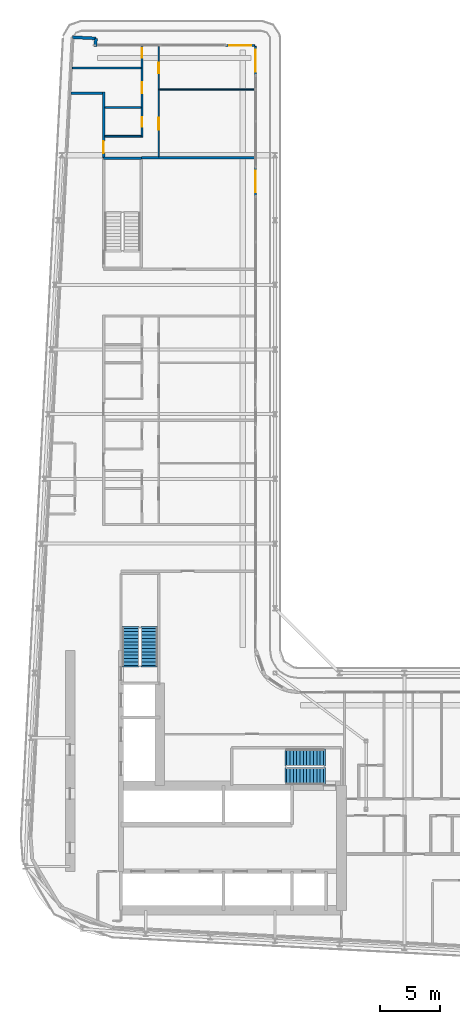
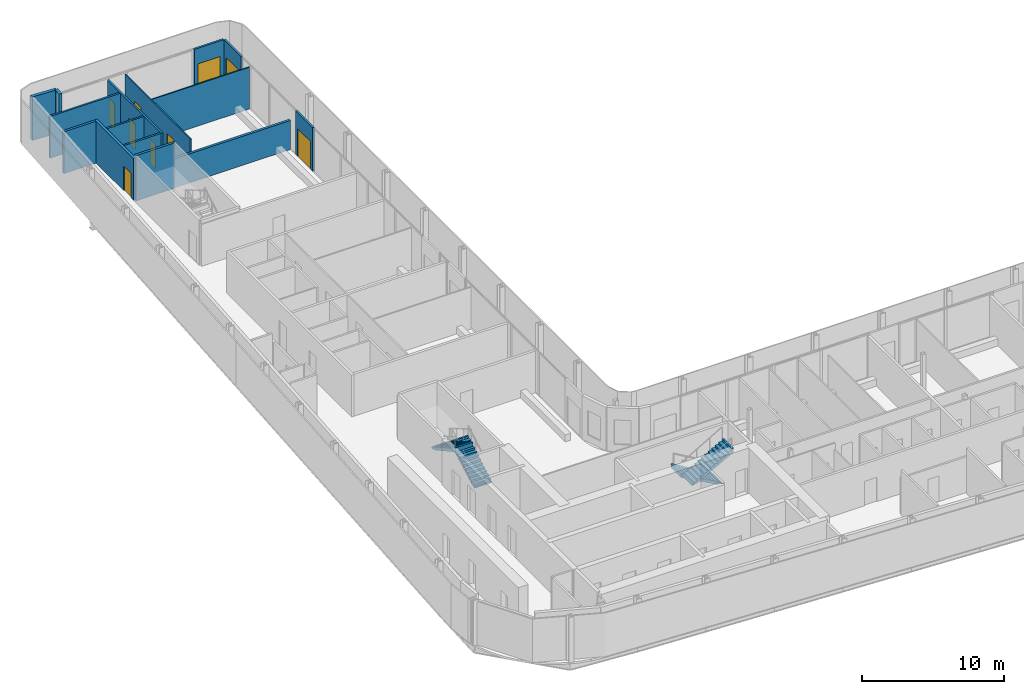
# One storey, part 22 of 30: 15 walls, 9 doors, 4 stair flights, 9 openings, 2 elements without a shape of their own.
"""IFC4 building model written with IfcOpenShell, lengths in metres."""

from ifc_helpers import new_model, si_unit, direction, frame, frame_2d, origin, place, context, subcontext, project, spatial, polyline, rectangle, outline, extrude, source, transform, mapped, material, layer, layer_set, type_object, element, fill, aggregate, save


model = new_model("IFC4")

# Units and contexts
model_context = context("Model", 3, precision=1e-05, world=origin(), true_north=direction((0.0, 1.0)))
body_context = subcontext(model_context, "Body", "Model", "MODEL_VIEW")
ifc_project = project(units=[si_unit("LENGTHUNIT", "METRE"), si_unit("AREAUNIT", "SQUARE_METRE"), si_unit("VOLUMEUNIT", "CUBIC_METRE"), si_unit("PLANEANGLEUNIT", "RADIAN"), si_unit("MASSUNIT", "GRAM", prefix="KILO")], contexts=[model_context])

# Site, building, storey
site_placement = place(None, origin())
site = spatial("IfcSite", under=ifc_project, at=site_placement, CompositionType="ELEMENT")
building_placement = place(site_placement, origin())
building = spatial("IfcBuilding", under=site, at=building_placement, Name="Kheshtan School and Residences Tower", CompositionType="ELEMENT")
storey_placement = place(building_placement, frame((0.0, 0.0, 199.39990234375)))
storey = spatial("IfcBuildingStorey", under=building, at=storey_placement, Name="L47", CompositionType="ELEMENT", Elevation=199.39990234375)

# Wall
ifc_material_1 = material(Name="Gypsum board on steel studs with fire boards", Category="steel")
ifc_layer_1 = layer(ifc_material_1, 0.199951171875)
ifc_layer_set_1 = layer_set([ifc_layer_1], Name="Corridor wall 200")
wall_type_1 = type_object("IfcWallType", Name="Corridor wall 200", PredefinedType="PARTITIONING", material=ifc_layer_set_1)
wall_1_placement = place(storey_placement, frame((30.584716796875, 94.0, 0.0), z_axis=(0.0, 0.0, 1.0), x_axis=(1.0, 0.0, 0.0)))
element("IfcWall", 1, at=wall_1_placement, inside=storey, type_object=wall_type_1, Name="Partition L47-002", PredefinedType="PARTITIONING", context=body_context, shape_type="SweptSolid", body=[
    extrude(rectangle(XDim=2.615234375, YDim=0.199951171875, at=frame_2d((1.3076171875, 0.0))), origin(), (0.0, 0.0, 1.0), 3.60009765625),
])

# Wall, opening, door
wall_2_placement = place(storey_placement, frame((33.300048828125, 88.60009765625, 0.0), z_axis=(0.0, 0.0, 1.0), x_axis=(0.0, 1.0, 0.0)))
wall_2 = element("IfcWall", 2, at=wall_2_placement, inside=storey, type_object=wall_type_1, Name="Partition L47-005", PredefinedType="PARTITIONING", context=body_context, shape_type="SweptSolid", body=[
    extrude(rectangle(XDim=5.5, YDim=0.199951171875, at=frame_2d((2.75, 0.0))), origin(), (0.0, 0.0, 1.0), 3.60009765625),
])
opening_1_placement = place(wall_2_placement, frame((0.39990234375, 0.0, 0.0)))
opening_1 = element("IfcOpeningElement", 3, at=opening_1_placement, cuts=wall_2, Name="Opening D46-050", PredefinedType="OPENING", context=body_context, shape_type="SweptSolid", body=[
    extrude(rectangle(XDim=1.0, YDim=2.10009765625, at=frame_2d((0.5, 1.050048828125))), frame((0.0, 0.10986328125, 0.0), z_axis=(0.0, -1.0, 0.0), x_axis=(1.0, 0.0, 0.0)), (0.0, 0.0, 1.0), 0.219970703125),
])
ifc_material_2 = material(Name="Steel-framed fire-resisting door leaf", Category="steel")
door_type_1 = type_object("IfcDoorType", Name="Fire door FD30S 1000 x 2100", OperationType="SINGLE_SWING_LEFT", PredefinedType="DOOR", material=ifc_material_2)
shared_shape_1 = source(origin(), body_context, "Body", "SweptSolid", [
    extrude(rectangle(XDim=1.0, YDim=2.10009765625, at=frame_2d((0.5, 1.050048828125))), frame((0.0, 0.02490234375, 0.0), z_axis=(0.0, -1.0, 0.0), x_axis=(1.0, 0.0, 0.0)), (0.0, 0.0, 1.0), 0.050048828125),
])
door_1_placement = place(opening_1_placement, origin())
door_1 = element("IfcDoor", 4, at=door_1_placement, inside=storey, type_object=door_type_1, Name="Door D46-050", OperationType="SINGLE_SWING_LEFT", OverallHeight=2.10009765625, OverallWidth=1.0, PredefinedType="DOOR", context=body_context, shape_type="MappedRepresentation", body=[
    mapped(shared_shape_1, transform((0.0, 0.0, 0.0), x_axis=(1.0, 0.0, 0.0), y_axis=(0.0, 1.0, 0.0), z_axis=(0.0, 0.0, 1.0), scale=1.0)),
])
fill(opening_1, door_1)

# Walls
ifc_material_3 = material(Name="Concrete C40/50 with ceramic cladding and mineral wool insulation", Category="concrete")
ifc_layer_2 = layer(ifc_material_3, 0.25)
ifc_layer_set_2 = layer_set([ifc_layer_2], Name="External wall 250 ceramic clad")
wall_type_2 = type_object("IfcWallType", Name="External wall 250 ceramic clad", PredefinedType="SOLIDWALL", material=ifc_layer_set_2)
wall_3_placement = place(storey_placement, frame((30.705078125, 98.6640625, 0.0), z_axis=(0.0, 0.0, 1.0), x_axis=(0.998577785791, -0.053314216913, 0.0)))
element("IfcWall", 5, at=wall_3_placement, inside=storey, type_object=wall_type_2, Name="External wall L47 5", PredefinedType="SOLIDWALL", context=body_context, shape_type="SweptSolid", body=[
    extrude(rectangle(XDim=1.95068359375, YDim=0.25, at=frame_2d((0.975341796875, 0.0))), origin(), (0.0, 0.0, 1.0), 3.75),
])
wall_4_placement = place(storey_placement, frame((32.653076171875, 98.56005859375, 0.0), z_axis=(0.0, 0.0, 1.0), x_axis=(-0.054093451632, -0.998535877418, 0.0)))
element("IfcWall", 6, at=wall_4_placement, inside=storey, type_object=wall_type_2, Name="External wall L47 6", PredefinedType="SOLIDWALL", context=body_context, shape_type="SweptSolid", body=[
    extrude(rectangle(XDim=0.66796875, YDim=0.25, at=frame_2d((0.333984375, 0.0))), origin(), (0.0, 0.0, 1.0), 3.75),
])

# Wall, opening, door
ifc_material_4 = material(Name="Aluminium frame wall with insulated infill", Category="aluminium")
ifc_layer_3 = layer(ifc_material_4, 0.14990234375)
ifc_layer_set_3 = layer_set([ifc_layer_3], Name="Glazing frame wall 150")
wall_type_3 = type_object("IfcWallType", Name="Glazing frame wall 150", PredefinedType="SOLIDWALL", material=ifc_layer_set_3)
wall_5_placement = place(storey_placement, frame((43.5, 97.97509765625, 0.0), z_axis=(0.0, 0.0, 1.0), x_axis=(1.0, 0.0, 0.0)))
wall_5 = element("IfcWall", 7, at=wall_5_placement, inside=storey, type_object=wall_type_3, Name="Balcony door wall L47 7.1", PredefinedType="SOLIDWALL", context=body_context, shape_type="SweptSolid", body=[
    extrude(rectangle(XDim=2.39990234375, YDim=0.14990234375, at=frame_2d((1.199951171875, 0.0))), origin(), (0.0, 0.0, 1.0), 3.75),
])
opening_2_placement = place(wall_5_placement, frame((0.300048828125, 0.0, 0.0)))
opening_2 = element("IfcOpeningElement", 8, at=opening_2_placement, cuts=wall_5, Name="Opening BD", PredefinedType="OPENING", context=body_context, shape_type="SweptSolid", body=[
    extrude(rectangle(XDim=1.800048828125, YDim=2.39990234375, at=frame_2d((0.89990234375, 1.199951171875))), frame((0.0, 0.0849609375, 0.0), z_axis=(0.0, -1.0, 0.0), x_axis=(1.0, 0.0, 0.0)), (0.0, 0.0, 1.0), 0.169921875),
])
ifc_material_5 = material(Name="Clear low-e glass in thermally broken aluminium frame", Category="aluminium")
door_type_2 = type_object("IfcDoorType", Name="Balcony sliding door", OperationType="SLIDING_TO_LEFT", PredefinedType="DOOR", material=ifc_material_5)
shared_shape_2 = source(origin(), body_context, "Body", "SweptSolid", [
    extrude(rectangle(XDim=1.800048828125, YDim=2.39990234375, at=frame_2d((0.89990234375, 1.199951171875))), frame((0.0, 0.02490234375, 0.0), z_axis=(0.0, -1.0, 0.0), x_axis=(1.0, 0.0, 0.0)), (0.0, 0.0, 1.0), 0.050048828125),
])
door_2_placement = place(opening_2_placement, origin())
door_2 = element("IfcDoor", 9, at=door_2_placement, inside=storey, type_object=door_type_2, Name="Balcony door L47 7.1", OperationType="SLIDING_TO_LEFT", OverallHeight=2.39990234375, OverallWidth=1.800048828125, PredefinedType="DOOR", context=body_context, shape_type="MappedRepresentation", body=[
    mapped(shared_shape_2, transform((0.0, 0.0, 0.0), x_axis=(1.0, 0.0, 0.0), y_axis=(0.0, 1.0, 0.0), z_axis=(0.0, 0.0, 1.0), scale=1.0)),
])
fill(opening_2, door_2)

wall_6_placement = place(storey_placement, frame((45.97509765625, 97.89990234375, 0.0), z_axis=(0.0, 0.0, 1.0), x_axis=(0.0, -1.0, 0.0)))
wall_6 = element("IfcWall", 10, at=wall_6_placement, inside=storey, type_object=wall_type_3, Name="Balcony door wall L47 8.1", PredefinedType="SOLIDWALL", context=body_context, shape_type="SweptSolid", body=[
    extrude(rectangle(XDim=2.39990234375, YDim=0.14990234375, at=frame_2d((1.199951171875, 0.0))), origin(), (0.0, 0.0, 1.0), 3.75),
])
opening_3_placement = place(wall_6_placement, frame((0.300048828125, 0.0, 0.0)))
opening_3 = element("IfcOpeningElement", 11, at=opening_3_placement, cuts=wall_6, Name="Opening BD", PredefinedType="OPENING", context=body_context, shape_type="SweptSolid", body=[
    extrude(rectangle(XDim=1.800048828125, YDim=2.39990234375, at=frame_2d((0.89990234375, 1.199951171875))), frame((0.0, 0.0849609375, 0.0), z_axis=(0.0, -1.0, 0.0), x_axis=(1.0, 0.0, 0.0)), (0.0, 0.0, 1.0), 0.169921875),
])
door_3_placement = place(opening_3_placement, origin())
door_3 = element("IfcDoor", 12, at=door_3_placement, inside=storey, type_object=door_type_2, Name="Balcony door L47 8.1", OperationType="SLIDING_TO_LEFT", OverallHeight=2.39990234375, OverallWidth=1.800048828125, PredefinedType="DOOR", context=body_context, shape_type="MappedRepresentation", body=[
    mapped(shared_shape_2, transform((0.0, 0.0, 0.0), x_axis=(1.0, 0.0, 0.0), y_axis=(0.0, 1.0, 0.0), z_axis=(0.0, 0.0, 1.0), scale=1.0)),
])
fill(opening_3, door_3)

wall_7_placement = place(storey_placement, frame((45.97509765625, 87.805908203125, 0.0), z_axis=(0.0, 0.0, 1.0), x_axis=(0.0, -1.0, 0.0)))
wall_7 = element("IfcWall", 13, at=wall_7_placement, inside=storey, type_object=wall_type_3, Name="Balcony door wall L47 8.2", PredefinedType="SOLIDWALL", context=body_context, shape_type="SweptSolid", body=[
    extrude(rectangle(XDim=2.39990234375, YDim=0.14990234375, at=frame_2d((1.199951171875, 0.0))), origin(), (0.0, 0.0, 1.0), 3.75),
])
opening_4_placement = place(wall_7_placement, frame((0.300048828125, 0.0, 0.0)))
opening_4 = element("IfcOpeningElement", 14, at=opening_4_placement, cuts=wall_7, Name="Opening BD", PredefinedType="OPENING", context=body_context, shape_type="SweptSolid", body=[
    extrude(rectangle(XDim=1.800048828125, YDim=2.39990234375, at=frame_2d((0.89990234375, 1.199951171875))), frame((0.0, 0.0849609375, 0.0), z_axis=(0.0, -1.0, 0.0), x_axis=(1.0, 0.0, 0.0)), (0.0, 0.0, 1.0), 0.169921875),
])
door_4_placement = place(opening_4_placement, origin())
door_4 = element("IfcDoor", 15, at=door_4_placement, inside=storey, type_object=door_type_2, Name="Balcony door L47 8.2", OperationType="SLIDING_TO_LEFT", OverallHeight=2.39990234375, OverallWidth=1.800048828125, PredefinedType="DOOR", context=body_context, shape_type="MappedRepresentation", body=[
    mapped(shared_shape_2, transform((0.0, 0.0, 0.0), x_axis=(1.0, 0.0, 0.0), y_axis=(0.0, 1.0, 0.0), z_axis=(0.0, 0.0, 1.0), scale=1.0)),
])
fill(opening_4, door_4)

# Wall, openings, doors
ifc_material_6 = material(Name="Gypsum board on steel studs", Category="steel")
ifc_layer_4 = layer(ifc_material_6, 0.10009765625)
ifc_layer_set_4 = layer_set([ifc_layer_4], Name="Gypsum partition 100")
wall_type_4 = type_object("IfcWallType", Name="Gypsum partition 100", PredefinedType="PARTITIONING", material=ifc_layer_set_4)
wall_8_placement = place(storey_placement, frame((37.89990234375, 88.699951171875, 0.0), z_axis=(0.0, 0.0, 1.0), x_axis=(0.0, 1.0, 0.0)))
wall_8 = element("IfcWall", 16, at=wall_8_placement, inside=storey, type_object=wall_type_4, Name="Partition L47-027", PredefinedType="PARTITIONING", context=body_context, shape_type="SweptSolid", body=[
    extrude(rectangle(XDim=9.199951171875, YDim=0.10009765625, at=frame_2d((4.60009765625, 0.0))), origin(), (0.0, 0.0, 1.0), 3.60009765625),
])
opening_5_placement = place(wall_8_placement, frame((6.949951171875, 0.0, 0.0)))
opening_5 = element("IfcOpeningElement", 17, at=opening_5_placement, cuts=wall_8, Name="Opening D46-049", PredefinedType="OPENING", context=body_context, shape_type="SweptSolid", body=[
    extrude(rectangle(XDim=0.89990234375, YDim=2.10009765625, at=frame_2d((0.449951171875, 1.050048828125))), frame((0.0, 0.06005859375, 0.0), z_axis=(0.0, -1.0, 0.0), x_axis=(1.0, 0.0, 0.0)), (0.0, 0.0, 1.0), 0.1201171875),
])
opening_6_placement = place(wall_8_placement, frame((2.25, 0.0, 0.0)))
opening_6 = element("IfcOpeningElement", 18, at=opening_6_placement, cuts=wall_8, Name="Opening D46-052", PredefinedType="OPENING", context=body_context, shape_type="SweptSolid", body=[
    extrude(rectangle(XDim=1.0, YDim=2.10009765625, at=frame_2d((0.5, 1.050048828125))), frame((0.0, 0.06005859375, 0.0), z_axis=(0.0, -1.0, 0.0), x_axis=(1.0, 0.0, 0.0)), (0.0, 0.0, 1.0), 0.1201171875),
])
ifc_material_7 = material(Name="Veneered timber door leaf", Category="wood")
door_type_3 = type_object("IfcDoorType", Name="Door 1000 x 2100", OperationType="SINGLE_SWING_LEFT", PredefinedType="DOOR", material=ifc_material_7)
shared_shape_3 = source(origin(), body_context, "Body", "SweptSolid", [
    extrude(rectangle(XDim=1.0, YDim=2.10009765625, at=frame_2d((0.5, 1.050048828125))), frame((0.0, 0.02490234375, 0.0), z_axis=(0.0, -1.0, 0.0), x_axis=(1.0, 0.0, 0.0)), (0.0, 0.0, 1.0), 0.050048828125),
])
door_5_placement = place(opening_6_placement, origin())
door_5 = element("IfcDoor", 19, at=door_5_placement, inside=storey, type_object=door_type_3, Name="Door D46-052", OperationType="SINGLE_SWING_RIGHT", OverallHeight=2.10009765625, OverallWidth=1.0, PredefinedType="DOOR", context=body_context, shape_type="MappedRepresentation", body=[
    mapped(shared_shape_3, transform((0.0, 0.0, 0.0), x_axis=(1.0, 0.0, 0.0), y_axis=(0.0, 1.0, 0.0), z_axis=(0.0, 0.0, 1.0), scale=1.0)),
])
fill(opening_6, door_5)
door_type_4 = type_object("IfcDoorType", Name="Door 900 x 2100", OperationType="SINGLE_SWING_LEFT", PredefinedType="DOOR", material=ifc_material_7)
shared_shape_4 = source(origin(), body_context, "Body", "SweptSolid", [
    extrude(rectangle(XDim=0.89990234375, YDim=2.10009765625, at=frame_2d((0.449951171875, 1.050048828125))), frame((0.0, 0.02490234375, 0.0), z_axis=(0.0, -1.0, 0.0), x_axis=(1.0, 0.0, 0.0)), (0.0, 0.0, 1.0), 0.050048828125),
])
door_6_placement = place(opening_5_placement, origin())
door_6 = element("IfcDoor", 20, at=door_6_placement, inside=storey, type_object=door_type_4, Name="Door D46-049", OperationType="SINGLE_SWING_RIGHT", OverallHeight=2.10009765625, OverallWidth=0.89990234375, PredefinedType="DOOR", context=body_context, shape_type="MappedRepresentation", body=[
    mapped(shared_shape_4, transform((0.0, 0.0, 0.0), x_axis=(1.0, 0.0, 0.0), y_axis=(0.0, 1.0, 0.0), z_axis=(0.0, 0.0, 1.0), scale=1.0)),
])
fill(opening_5, door_6)

# Walls
wall_9_placement = place(storey_placement, frame((37.949951171875, 94.300048828125, 0.0), z_axis=(0.0, 0.0, 1.0), x_axis=(1.0, 0.0, 0.0)))
element("IfcWall", 21, at=wall_9_placement, inside=storey, type_object=wall_type_4, Name="Partition L47-030", PredefinedType="PARTITIONING", context=body_context, shape_type="SweptSolid", body=[
    extrude(rectangle(XDim=7.949951171875, YDim=0.10009765625, at=frame_2d((3.97509765625, 0.0))), origin(), (0.0, 0.0, 1.0), 3.60009765625),
])
ifc_material_8 = material(Name="Concrete C40/50", Category="concrete")
ifc_layer_5 = layer(ifc_material_8, 0.199951171875)
ifc_layer_set_5 = layer_set([ifc_layer_5], Name="Stair enclosure wall 200 Concrete C40/50")
wall_type_5 = type_object("IfcWallType", Name="Stair enclosure wall 200 Concrete C40/50", PredefinedType="SHEAR", material=ifc_layer_set_5)
wall_10_placement = place(storey_placement, frame((33.300048828125, 88.56005859375, 0.0), z_axis=(0.0, 0.0, 1.0), x_axis=(1.0, 0.0, 0.0)))
element("IfcWall", 22, at=wall_10_placement, inside=storey, type_object=wall_type_5, Name="Stair enclosure wall ST3", PredefinedType="SHEAR", context=body_context, shape_type="SweptSolid", body=[
    extrude(rectangle(XDim=3.14990234375, YDim=0.199951171875, at=frame_2d((1.574951171875, 0.0))), origin(), (0.0, 0.0, 1.0), 3.900146484375),
])
ifc_material_9 = material(Name="Twin gypsum board on steel studs with mineral wool", Category="steel")
ifc_layer_6 = layer(ifc_material_9, 0.199951171875)
ifc_layer_set_6 = layer_set([ifc_layer_6], Name="Unit demising wall 200")
wall_type_6 = type_object("IfcWallType", Name="Unit demising wall 200", PredefinedType="PARTITIONING", material=ifc_layer_set_6)
wall_11_placement = place(storey_placement, frame((36.449951171875, 88.60009765625, 0.0), z_axis=(0.0, 0.0, 1.0), x_axis=(1.0, 0.0, 0.0)))
element("IfcWall", 23, at=wall_11_placement, inside=storey, type_object=wall_type_6, Name="Partition L47-023", PredefinedType="PARTITIONING", context=body_context, shape_type="SweptSolid", body=[
    extrude(rectangle(XDim=9.449951171875, YDim=0.199951171875, at=frame_2d((4.72509765625, 0.0))), origin(), (0.0, 0.0, 1.0), 2.5),
])
ifc_material_10 = material(Name="Moisture-resistant gypsum board on steel studs", Category="steel")
ifc_layer_7 = layer(ifc_material_10, 0.14990234375)
ifc_layer_set_7 = layer_set([ifc_layer_7], Name="Wet-room partition 150")
wall_type_7 = type_object("IfcWallType", Name="Wet-room partition 150", PredefinedType="PARTITIONING", material=ifc_layer_set_7)
wall_12_placement = place(storey_placement, frame((30.695068359375, 96.10009765625, 0.0), z_axis=(0.0, 0.0, 1.0), x_axis=(1.0, 0.0, 0.0)))
element("IfcWall", 24, at=wall_12_placement, inside=storey, type_object=wall_type_7, Name="Partition L47-001", PredefinedType="PARTITIONING", context=body_context, shape_type="SweptSolid", body=[
    extrude(rectangle(XDim=5.72998046875, YDim=0.14990234375, at=frame_2d((2.864990234375, 0.0))), origin(), (0.0, 0.0, 1.0), 3.60009765625),
])
for number, where, z_axis, x_axis, name in (
    (25, (33.39990234375, 90.39990234375, 0.0), (0.0, 0.0, 1.0), (1.0, 0.0, 0.0), "Partition L47-015"),
    (26, (33.39990234375, 92.800048828125, 0.0), (0.0, 0.0, 1.0), (1.0, 0.0, 0.0), "Partition L47-016"),
):
    element("IfcWall", number, at=place(storey_placement, frame(where, z_axis=z_axis, x_axis=x_axis)), inside=storey, type_object=wall_type_7, Name=name, PredefinedType="PARTITIONING", context=body_context, shape_type="SweptSolid", body=[
        extrude(rectangle(XDim=3.025146484375, YDim=0.14990234375, at=frame_2d((1.5126953125, 0.0))), origin(), (0.0, 0.0, 1.0), 3.60009765625),
    ])

# Wall, openings, doors
wall_13_placement = place(storey_placement, frame((36.5, 90.324951171875, 0.0), z_axis=(0.0, 0.0, 1.0), x_axis=(0.0, 1.0, 0.0)))
wall_13 = element("IfcWall", 27, at=wall_13_placement, inside=storey, type_object=wall_type_7, Name="Partition L47-024", PredefinedType="PARTITIONING", context=body_context, shape_type="SweptSolid", body=[
    extrude(rectangle(XDim=7.574951171875, YDim=0.14990234375, at=frame_2d((3.78759765625, 0.0))), origin(), (0.0, 0.0, 1.0), 3.60009765625),
])
opening_7_placement = place(wall_13_placement, frame((0.875, 0.0, 0.0)))
opening_7 = element("IfcOpeningElement", 28, at=opening_7_placement, cuts=wall_13, Name="Opening D46-048", PredefinedType="OPENING", context=body_context, shape_type="SweptSolid", body=[
    extrude(rectangle(XDim=0.800048828125, YDim=2.10009765625, at=frame_2d((0.39990234375, 1.050048828125))), frame((0.0, 0.0849609375, 0.0), z_axis=(0.0, -1.0, 0.0), x_axis=(1.0, 0.0, 0.0)), (0.0, 0.0, 1.0), 0.169921875),
])
opening_8_placement = place(wall_13_placement, frame((3.675048828125, 0.0, 0.0)))
opening_8 = element("IfcOpeningElement", 29, at=opening_8_placement, cuts=wall_13, Name="Opening D46-051", PredefinedType="OPENING", context=body_context, shape_type="SweptSolid", body=[
    extrude(rectangle(XDim=0.89990234375, YDim=2.10009765625, at=frame_2d((0.449951171875, 1.050048828125))), frame((0.0, 0.0849609375, 0.0), z_axis=(0.0, -1.0, 0.0), x_axis=(1.0, 0.0, 0.0)), (0.0, 0.0, 1.0), 0.169921875),
])
opening_9_placement = place(wall_13_placement, frame((6.625, 0.0, 0.0)))
opening_9 = element("IfcOpeningElement", 30, at=opening_9_placement, cuts=wall_13, Name="Opening D46-053", PredefinedType="OPENING", context=body_context, shape_type="SweptSolid", body=[
    extrude(rectangle(XDim=0.800048828125, YDim=2.10009765625, at=frame_2d((0.39990234375, 1.050048828125))), frame((0.0, 0.0849609375, 0.0), z_axis=(0.0, -1.0, 0.0), x_axis=(1.0, 0.0, 0.0)), (0.0, 0.0, 1.0), 0.169921875),
])
door_type_5 = type_object("IfcDoorType", Name="Door 800 x 2100", OperationType="SINGLE_SWING_LEFT", PredefinedType="DOOR", material=ifc_material_7)
shared_shape_5 = source(origin(), body_context, "Body", "SweptSolid", [
    extrude(rectangle(XDim=0.800048828125, YDim=2.10009765625, at=frame_2d((0.39990234375, 1.050048828125))), frame((0.0, 0.02490234375, 0.0), z_axis=(0.0, -1.0, 0.0), x_axis=(1.0, 0.0, 0.0)), (0.0, 0.0, 1.0), 0.050048828125),
])
door_7_placement = place(opening_7_placement, origin())
door_7 = element("IfcDoor", 31, at=door_7_placement, inside=storey, type_object=door_type_5, Name="Door D46-048", OperationType="SINGLE_SWING_LEFT", OverallHeight=2.10009765625, OverallWidth=0.800048828125, PredefinedType="DOOR", context=body_context, shape_type="MappedRepresentation", body=[
    mapped(shared_shape_5, transform((0.0, 0.0, 0.0), x_axis=(1.0, 0.0, 0.0), y_axis=(0.0, 1.0, 0.0), z_axis=(0.0, 0.0, 1.0), scale=1.0)),
])
fill(opening_7, door_7)
door_8_placement = place(opening_9_placement, origin())
door_8 = element("IfcDoor", 32, at=door_8_placement, inside=storey, type_object=door_type_5, Name="Door D46-053", OperationType="SINGLE_SWING_LEFT", OverallHeight=2.10009765625, OverallWidth=0.800048828125, PredefinedType="DOOR", context=body_context, shape_type="MappedRepresentation", body=[
    mapped(shared_shape_5, transform((0.0, 0.0, 0.0), x_axis=(1.0, 0.0, 0.0), y_axis=(0.0, 1.0, 0.0), z_axis=(0.0, 0.0, 1.0), scale=1.0)),
])
fill(opening_9, door_8)
door_9_placement = place(opening_8_placement, origin())
door_9 = element("IfcDoor", 33, at=door_9_placement, inside=storey, type_object=door_type_4, Name="Door D46-051", OperationType="SINGLE_SWING_LEFT", OverallHeight=2.10009765625, OverallWidth=0.89990234375, PredefinedType="DOOR", context=body_context, shape_type="MappedRepresentation", body=[
    mapped(shared_shape_4, transform((0.0, 0.0, 0.0), x_axis=(1.0, 0.0, 0.0), y_axis=(0.0, 1.0, 0.0), z_axis=(0.0, 0.0, 1.0), scale=1.0)),
])
fill(opening_8, door_9)

# Stair, stair flights
stair_type = type_object("IfcStairType", Name="Exit stair, half-turn", PredefinedType="HALF_TURN_STAIR", material=ifc_material_8)
stair_1_placement = place(storey_placement, origin())
stair_1 = element("IfcStair", 34, at=stair_1_placement, inside=storey, type_object=stair_type, Name="L47 Protected Exit Stair ST1", PredefinedType="HALF_TURN_STAIR")
ifc_layer_8 = layer(ifc_material_8, 0.14990234375)
ifc_layer_set_8 = layer_set([ifc_layer_8], Name="Stair flight 1400 Concrete C40/50")
stair_flight_type = type_object("IfcStairFlightType", Name="Stair flight 1400 Concrete C40/50", PredefinedType="STRAIGHT", material=ifc_layer_set_8)
stair_flight_1_placement = place(storey_placement, frame((51.64990234375, 38.550048828125, 0.0), z_axis=(0.0, 0.0, 1.0), x_axis=(-1.0, 0.0, 0.0)))
stair_flight_1 = element("IfcStairFlight", 35, at=stair_flight_1_placement, type_object=stair_flight_type, Name="ST1 flight 1", NumberOfRisers=12, NumberOfTreads=11, PredefinedType="STRAIGHT", RiserHeight=0.1625, TreadLength=0.28, context=body_context, shape_type="SweptSolid", body=[
    extrude(outline(polyline([(-0.14990234375, -0.10009765625), (-0.14990234375, 0.0), (0.0, 0.0), (0.0, 0.16259765625), (0.280029296875, 0.16259765625), (0.280029296875, 0.324951171875), (0.56005859375, 0.324951171875), (0.56005859375, 0.487548828125), (0.840087890625, 0.487548828125), (0.840087890625, 0.64990234375), (1.1201171875, 0.64990234375), (1.1201171875, 0.8125), (1.39990234375, 0.8125), (1.39990234375, 0.97509765625), (1.679931640625, 0.97509765625), (1.679931640625, 1.137451171875), (1.9599609375, 1.137451171875), (1.9599609375, 1.300048828125), (2.239990234375, 1.300048828125), (2.239990234375, 1.46240234375), (2.52001953125, 1.46240234375), (2.52001953125, 1.625), (2.800048828125, 1.625), (2.800048828125, 1.78759765625), (3.080078125, 1.78759765625), (3.080078125, 1.949951171875), (3.080078125, 1.969970703125), (3.22998046875, 1.969970703125), (3.22998046875, 1.6142578125), (0.298583984375, 0.0), (-0.14990234375, -0.10009765625)])), frame((0.0, 0.699951171875, 0.0), z_axis=(0.0, -1.0, 0.0), x_axis=(1.0, 0.0, 0.0)), (0.0, 0.0, 1.0), 1.39990234375),
])
stair_flight_2_placement = place(storey_placement, frame((48.570068359375, 37.0, 1.9501953125), z_axis=(0.0, 0.0, 1.0), x_axis=(1.0, 0.0, 0.0)))
stair_flight_2 = element("IfcStairFlight", 36, at=stair_flight_2_placement, type_object=stair_flight_type, Name="ST1 flight 2", NumberOfRisers=12, NumberOfTreads=11, PredefinedType="STRAIGHT", RiserHeight=0.1625, TreadLength=0.28, context=body_context, shape_type="SweptSolid", body=[
    extrude(outline(polyline([(-0.14990234375, -0.10009765625), (-0.14990234375, 0.0), (0.0, 0.0), (0.0, 0.16259765625), (0.280029296875, 0.16259765625), (0.280029296875, 0.324951171875), (0.56005859375, 0.324951171875), (0.56005859375, 0.487548828125), (0.840087890625, 0.487548828125), (0.840087890625, 0.64990234375), (1.1201171875, 0.64990234375), (1.1201171875, 0.8125), (1.39990234375, 0.8125), (1.39990234375, 0.97509765625), (1.679931640625, 0.97509765625), (1.679931640625, 1.137451171875), (1.9599609375, 1.137451171875), (1.9599609375, 1.300048828125), (2.239990234375, 1.300048828125), (2.239990234375, 1.46240234375), (2.52001953125, 1.46240234375), (2.52001953125, 1.625), (2.800048828125, 1.625), (2.800048828125, 1.78759765625), (3.080078125, 1.78759765625), (3.080078125, 1.949951171875), (3.080078125, 1.969970703125), (3.22998046875, 1.969970703125), (3.22998046875, 1.6142578125), (0.298583984375, 0.0), (-0.14990234375, -0.10009765625)])), frame((0.0, 0.699951171875, 0.0), z_axis=(0.0, -1.0, 0.0), x_axis=(1.0, 0.0, 0.0)), (0.0, 0.0, 1.0), 1.39990234375),
])
aggregate(stair_1, [stair_flight_1, stair_flight_2])

stair_2_placement = place(storey_placement, origin())
stair_2 = element("IfcStair", 37, at=stair_2_placement, inside=storey, type_object=stair_type, Name="L47 Protected Exit Stair ST2", PredefinedType="HALF_TURN_STAIR")
stair_flight_3_placement = place(storey_placement, frame((37.10009765625, 46.25, 0.0), z_axis=(0.0, 0.0, 1.0), x_axis=(0.0, 1.0, 0.0)))
stair_flight_3 = element("IfcStairFlight", 38, at=stair_flight_3_placement, type_object=stair_flight_type, Name="ST2 flight 1", NumberOfRisers=12, NumberOfTreads=11, PredefinedType="STRAIGHT", RiserHeight=0.1625, TreadLength=0.28, context=body_context, shape_type="SweptSolid", body=[
    extrude(outline(polyline([(-0.14990234375, -0.10009765625), (-0.14990234375, 0.0), (0.0, 0.0), (0.0, 0.16259765625), (0.280029296875, 0.16259765625), (0.280029296875, 0.324951171875), (0.56005859375, 0.324951171875), (0.56005859375, 0.487548828125), (0.840087890625, 0.487548828125), (0.840087890625, 0.64990234375), (1.1201171875, 0.64990234375), (1.1201171875, 0.8125), (1.39990234375, 0.8125), (1.39990234375, 0.97509765625), (1.679931640625, 0.97509765625), (1.679931640625, 1.137451171875), (1.9599609375, 1.137451171875), (1.9599609375, 1.300048828125), (2.239990234375, 1.300048828125), (2.239990234375, 1.46240234375), (2.52001953125, 1.46240234375), (2.52001953125, 1.625), (2.800048828125, 1.625), (2.800048828125, 1.78759765625), (3.080078125, 1.78759765625), (3.080078125, 1.949951171875), (3.080078125, 1.969970703125), (3.22998046875, 1.969970703125), (3.22998046875, 1.6142578125), (0.298583984375, 0.0), (-0.14990234375, -0.10009765625)])), frame((0.0, 0.699951171875, 0.0), z_axis=(0.0, -1.0, 0.0), x_axis=(1.0, 0.0, 0.0)), (0.0, 0.0, 1.0), 1.39990234375),
])
stair_flight_4_placement = place(storey_placement, frame((35.550048828125, 49.330078125, 1.9501953125), z_axis=(0.0, 0.0, 1.0), x_axis=(0.0, -1.0, 0.0)))
stair_flight_4 = element("IfcStairFlight", 39, at=stair_flight_4_placement, type_object=stair_flight_type, Name="ST2 flight 2", NumberOfRisers=12, NumberOfTreads=11, PredefinedType="STRAIGHT", RiserHeight=0.1625, TreadLength=0.28, context=body_context, shape_type="SweptSolid", body=[
    extrude(outline(polyline([(-0.14990234375, -0.10009765625), (-0.14990234375, 0.0), (0.0, 0.0), (0.0, 0.16259765625), (0.280029296875, 0.16259765625), (0.280029296875, 0.324951171875), (0.56005859375, 0.324951171875), (0.56005859375, 0.487548828125), (0.840087890625, 0.487548828125), (0.840087890625, 0.64990234375), (1.1201171875, 0.64990234375), (1.1201171875, 0.8125), (1.39990234375, 0.8125), (1.39990234375, 0.97509765625), (1.679931640625, 0.97509765625), (1.679931640625, 1.137451171875), (1.9599609375, 1.137451171875), (1.9599609375, 1.300048828125), (2.239990234375, 1.300048828125), (2.239990234375, 1.46240234375), (2.52001953125, 1.46240234375), (2.52001953125, 1.625), (2.800048828125, 1.625), (2.800048828125, 1.78759765625), (3.080078125, 1.78759765625), (3.080078125, 1.949951171875), (3.080078125, 1.969970703125), (3.22998046875, 1.969970703125), (3.22998046875, 1.6142578125), (0.298583984375, 0.0), (-0.14990234375, -0.10009765625)])), frame((0.0, 0.699951171875, 0.0), z_axis=(0.0, -1.0, 0.0), x_axis=(1.0, 0.0, 0.0)), (0.0, 0.0, 1.0), 1.39990234375),
])
aggregate(stair_2, [stair_flight_3, stair_flight_4])

save(model, "model.ifc")
